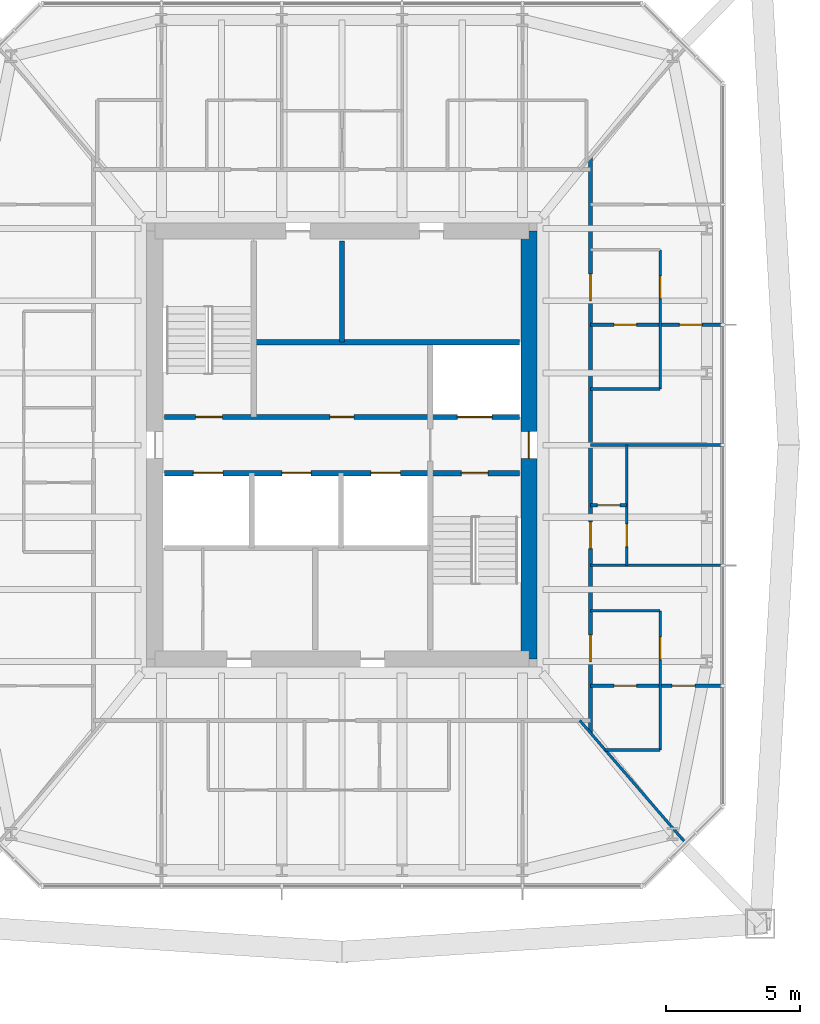
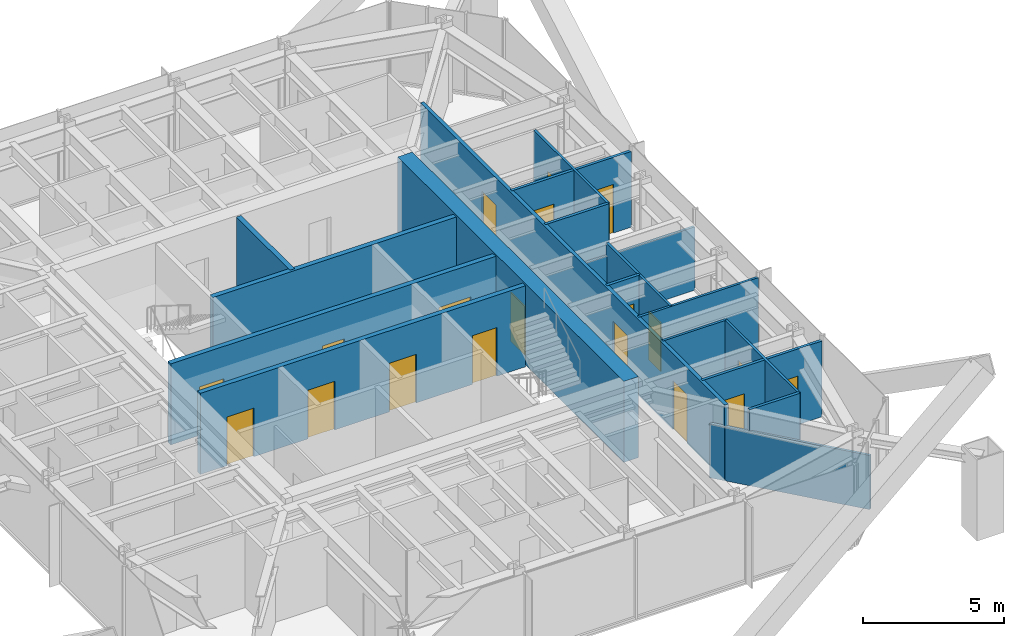
# One storey, part 20 of 27: 19 doors, 18 walls, 19 openings.
"""IFC4 building model written with IfcOpenShell, lengths in metres."""

from ifc_helpers import new_model, si_unit, direction, frame, frame_2d, origin, place, context, subcontext, project, spatial, rectangle, extrude, material, layer, layer_set, type_object, element, fill, save


model = new_model("IFC4")

# Units and contexts
model_context = context("Model", 3, precision=1e-05, world=origin(), true_north=direction((0.0, 1.0)))
body_context = subcontext(model_context, "Body", "Model", "MODEL_VIEW")
ifc_project = project(units=[si_unit("LENGTHUNIT", "METRE"), si_unit("AREAUNIT", "SQUARE_METRE"), si_unit("VOLUMEUNIT", "CUBIC_METRE"), si_unit("PLANEANGLEUNIT", "RADIAN"), si_unit("MASSUNIT", "GRAM", prefix="KILO")], contexts=[model_context])

# Site, building, storey
site_placement = place(None, origin())
site = spatial("IfcSite", under=ifc_project, at=site_placement, CompositionType="ELEMENT")
building_placement = place(site_placement, origin())
building = spatial("IfcBuilding", under=site, at=building_placement, Name="Iwan Alto Co-Living Towers", CompositionType="ELEMENT")
storey_placement = place(building_placement, frame((0.0, 0.0, 94.5)))
storey = spatial("IfcBuildingStorey", under=building, at=storey_placement, Name="L25", CompositionType="ELEMENT", Elevation=94.5)

# Wall, openings, doors
ifc_material_1 = material(Name="Gypsum board")
ifc_layer_1 = layer(ifc_material_1, 0.02490234375, Name="Board", Category="Finish")
ifc_material_2 = material(Name="Steel ASTM A1003 ST33H cold-formed studs", Category="steel")
ifc_layer_2 = layer(ifc_material_2, 0.10009765625, Name="Studs", Category="Framing")
ifc_layer_3 = layer(ifc_material_1, 0.02490234375, Name="Board", Category="Finish")
ifc_layer_set_1 = layer_set([ifc_layer_1, ifc_layer_2, ifc_layer_3], Name="CORRIDOR WALL 150")
wall_type_1 = type_object("IfcWallType", Name="CORRIDOR WALL 150", PredefinedType="PARTITIONING", material=ifc_layer_set_1)
wall_1_placement = place(storey_placement, frame((72.300048828125, -10.76806640625, 0.0), z_axis=(0.0, 0.0, 1.0), x_axis=(0.0, 1.0, 0.0)))
wall_1 = element("IfcWall", 1, at=wall_1_placement, inside=storey, type_object=wall_type_1, Name="Partition L25", PredefinedType="PARTITIONING", context=body_context, shape_type="SweptSolid", body=[
    extrude(rectangle(XDim=21.5361328125, YDim=0.14990234375, at=frame_2d((10.76806640625, 0.0))), origin(), (0.0, 0.0, 1.0), 3.27001953125),
])
opening_1_placement = place(wall_1_placement, frame((2.66796875, 0.0, 0.0)))
opening_1 = element("IfcOpeningElement", 2, at=opening_1_placement, cuts=wall_1, Name="Opening D3", PredefinedType="OPENING", context=body_context, shape_type="SweptSolid", body=[
    extrude(rectangle(XDim=1.0, YDim=2.10009765625, at=frame_2d((0.5, 1.050048828125))), frame((0.0, 0.0849609375, 0.0), z_axis=(0.0, -1.0, 0.0), x_axis=(1.0, 0.0, 0.0)), (0.0, 0.0, 1.0), 0.169921875),
])
opening_2_placement = place(wall_1_placement, frame((6.89306640625, 0.0, 0.0)))
opening_2 = element("IfcOpeningElement", 3, at=opening_2_placement, cuts=wall_1, Name="Opening D3", PredefinedType="OPENING", context=body_context, shape_type="SweptSolid", body=[
    extrude(rectangle(XDim=1.0, YDim=2.10009765625, at=frame_2d((0.5, 1.050048828125))), frame((0.0, 0.0849609375, 0.0), z_axis=(0.0, -1.0, 0.0), x_axis=(1.0, 0.0, 0.0)), (0.0, 0.0, 1.0), 0.169921875),
])
opening_3_placement = place(wall_1_placement, frame((16.16796875, 0.0, 0.0)))
opening_3 = element("IfcOpeningElement", 4, at=opening_3_placement, cuts=wall_1, Name="Opening D3", PredefinedType="OPENING", context=body_context, shape_type="SweptSolid", body=[
    extrude(rectangle(XDim=1.0, YDim=2.10009765625, at=frame_2d((0.5, 1.050048828125))), frame((0.0, 0.0849609375, 0.0), z_axis=(0.0, -1.0, 0.0), x_axis=(1.0, 0.0, 0.0)), (0.0, 0.0, 1.0), 0.169921875),
])
ifc_material_3 = material(Name="Steel frame with timber leaf", Category="steel")
door_type_1 = type_object("IfcDoorType", Name="FLAT ENTRANCE DOOR FD30S 1000X2100", OperationType="SINGLE_SWING_LEFT", PredefinedType="DOOR", material=ifc_material_3)
door_1_placement = place(opening_1_placement, frame((1.0, 0.0, 0.0), z_axis=(0.0, 0.0, 1.0), x_axis=(-1.0, 0.0, 0.0)))
door_1 = element("IfcDoor", 5, at=door_1_placement, inside=storey, type_object=door_type_1, Name="Apartment foyer door L25", OperationType="SINGLE_SWING_RIGHT", OverallHeight=2.10009765625, OverallWidth=1.0, PredefinedType="DOOR", context=body_context, shape_type="SweptSolid", body=[
    extrude(rectangle(XDim=1.0, YDim=2.10009765625, at=frame_2d((0.5, 1.050048828125))), frame((0.0, 0.02490234375, 0.0), z_axis=(0.0, -1.0, 0.0), x_axis=(1.0, 0.0, 0.0)), (0.0, 0.0, 1.0), 0.050048828125),
])
fill(opening_1, door_1)
door_2_placement = place(opening_2_placement, frame((1.0, 0.0, 0.0), z_axis=(0.0, 0.0, 1.0), x_axis=(-1.0, 0.0, 0.0)))
door_2 = element("IfcDoor", 6, at=door_2_placement, inside=storey, type_object=door_type_1, Name="Studio foyer door L25", OperationType="SINGLE_SWING_RIGHT", OverallHeight=2.10009765625, OverallWidth=1.0, PredefinedType="DOOR", context=body_context, shape_type="SweptSolid", body=[
    extrude(rectangle(XDim=1.0, YDim=2.10009765625, at=frame_2d((0.5, 1.050048828125))), frame((0.0, 0.02490234375, 0.0), z_axis=(0.0, -1.0, 0.0), x_axis=(1.0, 0.0, 0.0)), (0.0, 0.0, 1.0), 0.050048828125),
])
fill(opening_2, door_2)
door_3_placement = place(opening_3_placement, frame((1.0, 0.0, 0.0), z_axis=(0.0, 0.0, 1.0), x_axis=(-1.0, 0.0, 0.0)))
door_3 = element("IfcDoor", 7, at=door_3_placement, inside=storey, type_object=door_type_1, Name="Apartment foyer door L25", OperationType="SINGLE_SWING_RIGHT", OverallHeight=2.10009765625, OverallWidth=1.0, PredefinedType="DOOR", context=body_context, shape_type="SweptSolid", body=[
    extrude(rectangle(XDim=1.0, YDim=2.10009765625, at=frame_2d((0.5, 1.050048828125))), frame((0.0, 0.02490234375, 0.0), z_axis=(0.0, -1.0, 0.0), x_axis=(1.0, 0.0, 0.0)), (0.0, 0.0, 1.0), 0.050048828125),
])
fill(opening_3, door_3)

# Walls
ifc_layer_4 = layer(ifc_material_1, 0.012451171875, Name="Board", Category="Finish")
ifc_layer_5 = layer(ifc_material_2, 0.074951171875, Name="Studs", Category="Framing")
ifc_layer_6 = layer(ifc_material_1, 0.012451171875, Name="Board", Category="Finish")
ifc_layer_set_2 = layer_set([ifc_layer_4, ifc_layer_5, ifc_layer_6], Name="PARTITION 100")
wall_type_2 = type_object("IfcWallType", Name="PARTITION 100", PredefinedType="PARTITIONING", material=ifc_layer_set_2)
wall_2_placement = place(storey_placement, frame((72.300048828125, -6.199951171875, 0.0), z_axis=(0.0, 0.0, 1.0), x_axis=(1.0, 0.0, 0.0)))
element("IfcWall", 8, at=wall_2_placement, inside=storey, type_object=wall_type_2, Name="Partition L25", PredefinedType="PARTITIONING", context=body_context, shape_type="SweptSolid", body=[
    extrude(rectangle(XDim=2.599853515625, YDim=0.10009765625, at=frame_2d((1.2998046875, 0.0))), origin(), (0.0, 0.0, 1.0), 3.27001953125),
])
wall_3_placement = place(storey_placement, frame((72.300048828125, -4.5, 0.0), z_axis=(0.0, 0.0, 1.0), x_axis=(1.0, 0.0, 0.0)))
element("IfcWall", 9, at=wall_3_placement, inside=storey, type_object=wall_type_2, Name="Partition L25", PredefinedType="PARTITIONING", context=body_context, shape_type="SweptSolid", body=[
    extrude(rectangle(XDim=4.889892578125, YDim=0.10009765625, at=frame_2d((2.44482421875, 0.0))), origin(), (0.0, 0.0, 1.0), 3.27001953125),
])
wall_4_placement = place(storey_placement, frame((72.300048828125, 0.0, 0.0), z_axis=(0.0, 0.0, 1.0), x_axis=(1.0, 0.0, 0.0)))
element("IfcWall", 10, at=wall_4_placement, inside=storey, type_object=wall_type_2, Name="Partition L25", PredefinedType="PARTITIONING", context=body_context, shape_type="SweptSolid", body=[
    extrude(rectangle(XDim=4.889892578125, YDim=0.10009765625, at=frame_2d((2.44482421875, 0.0))), origin(), (0.0, 0.0, 1.0), 2.736572265625),
])

# Wall, opening, door
wall_5_placement = place(storey_placement, frame((74.89990234375, -11.39990234375, 0.0), z_axis=(0.0, 0.0, 1.0), x_axis=(0.0, 1.0, 0.0)))
wall_5 = element("IfcWall", 11, at=wall_5_placement, inside=storey, type_object=wall_type_2, Name="Partition L25", PredefinedType="PARTITIONING", context=body_context, shape_type="SweptSolid", body=[
    extrude(rectangle(XDim=5.199951171875, YDim=0.10009765625, at=frame_2d((2.60009765625, 0.0))), origin(), (0.0, 0.0, 1.0), 3.27001953125),
])
opening_4_placement = place(wall_5_placement, frame((3.375, 0.0, 0.0)))
opening_4 = element("IfcOpeningElement", 12, at=opening_4_placement, cuts=wall_5, Name="Opening D2", PredefinedType="OPENING", context=body_context, shape_type="SweptSolid", body=[
    extrude(rectangle(XDim=0.85009765625, YDim=2.10009765625, at=frame_2d((0.425048828125, 1.050048828125))), frame((0.0, 0.06005859375, 0.0), z_axis=(0.0, -1.0, 0.0), x_axis=(1.0, 0.0, 0.0)), (0.0, 0.0, 1.0), 0.1201171875),
])
ifc_material_4 = material(Name="Timber leaf in steel frame", Category="steel")
door_type_2 = type_object("IfcDoorType", Name="ROOM DOOR 850X2100", OperationType="SINGLE_SWING_LEFT", PredefinedType="DOOR", material=ifc_material_4)
door_4_placement = place(opening_4_placement, frame((0.85009765625, 0.0, 0.0), z_axis=(0.0, 0.0, 1.0), x_axis=(-1.0, 0.0, 0.0)))
door_4 = element("IfcDoor", 13, at=door_4_placement, inside=storey, type_object=door_type_2, Name="Apartment foyer door L25", OperationType="SINGLE_SWING_RIGHT", OverallHeight=2.10009765625, OverallWidth=0.85009765625, PredefinedType="DOOR", context=body_context, shape_type="SweptSolid", body=[
    extrude(rectangle(XDim=0.85009765625, YDim=2.10009765625, at=frame_2d((0.425048828125, 1.050048828125))), frame((0.0, 0.02490234375, 0.0), z_axis=(0.0, -1.0, 0.0), x_axis=(1.0, 0.0, 0.0)), (0.0, 0.0, 1.0), 0.050048828125),
])
fill(opening_4, door_4)

wall_6_placement = place(storey_placement, frame((74.89990234375, 2.10009765625, 0.0), z_axis=(0.0, 0.0, 1.0), x_axis=(0.0, 1.0, 0.0)))
wall_6 = element("IfcWall", 14, at=wall_6_placement, inside=storey, type_object=wall_type_2, Name="Partition L25", PredefinedType="PARTITIONING", context=body_context, shape_type="SweptSolid", body=[
    extrude(rectangle(XDim=5.199951171875, YDim=0.10009765625, at=frame_2d((2.60009765625, 0.0))), origin(), (0.0, 0.0, 1.0), 3.27001953125),
])
opening_5_placement = place(wall_6_placement, frame((3.375, 0.0, 0.0)))
opening_5 = element("IfcOpeningElement", 15, at=opening_5_placement, cuts=wall_6, Name="Opening D2", PredefinedType="OPENING", context=body_context, shape_type="SweptSolid", body=[
    extrude(rectangle(XDim=0.85009765625, YDim=2.10009765625, at=frame_2d((0.425048828125, 1.050048828125))), frame((0.0, 0.06005859375, 0.0), z_axis=(0.0, -1.0, 0.0), x_axis=(1.0, 0.0, 0.0)), (0.0, 0.0, 1.0), 0.1201171875),
])
door_5_placement = place(opening_5_placement, frame((0.85009765625, 0.0, 0.0), z_axis=(0.0, 0.0, 1.0), x_axis=(-1.0, 0.0, 0.0)))
door_5 = element("IfcDoor", 16, at=door_5_placement, inside=storey, type_object=door_type_2, Name="Apartment foyer door L25", OperationType="SINGLE_SWING_RIGHT", OverallHeight=2.10009765625, OverallWidth=0.85009765625, PredefinedType="DOOR", context=body_context, shape_type="SweptSolid", body=[
    extrude(rectangle(XDim=0.85009765625, YDim=2.10009765625, at=frame_2d((0.425048828125, 1.050048828125))), frame((0.0, 0.02490234375, 0.0), z_axis=(0.0, -1.0, 0.0), x_axis=(1.0, 0.0, 0.0)), (0.0, 0.0, 1.0), 0.050048828125),
])
fill(opening_5, door_5)

wall_7_placement = place(storey_placement, frame((73.64990234375, -4.5, 0.0), z_axis=(0.0, 0.0, 1.0), x_axis=(0.0, 1.0, 0.0)))
wall_7 = element("IfcWall", 17, at=wall_7_placement, inside=storey, type_object=wall_type_2, Name="Partition L25", PredefinedType="PARTITIONING", context=body_context, shape_type="SweptSolid", body=[
    extrude(rectangle(XDim=4.5, YDim=0.10009765625, at=frame_2d((2.25, 0.0))), origin(), (0.0, 0.0, 1.0), 3.27001953125),
])
opening_6_placement = place(wall_7_placement, frame((0.699951171875, 0.0, 0.0)))
opening_6 = element("IfcOpeningElement", 18, at=opening_6_placement, cuts=wall_7, Name="Opening D2", PredefinedType="OPENING", context=body_context, shape_type="SweptSolid", body=[
    extrude(rectangle(XDim=0.85009765625, YDim=2.10009765625, at=frame_2d((0.425048828125, 1.050048828125))), frame((0.0, 0.06005859375, 0.0), z_axis=(0.0, -1.0, 0.0), x_axis=(1.0, 0.0, 0.0)), (0.0, 0.0, 1.0), 0.1201171875),
])
door_6_placement = place(opening_6_placement, frame((0.85009765625, 0.0, 0.0), z_axis=(0.0, 0.0, 1.0), x_axis=(-1.0, 0.0, 0.0)))
door_6 = element("IfcDoor", 19, at=door_6_placement, inside=storey, type_object=door_type_2, Name="Studio and kitchenette door L25", OperationType="SINGLE_SWING_RIGHT", OverallHeight=2.10009765625, OverallWidth=0.85009765625, PredefinedType="DOOR", context=body_context, shape_type="SweptSolid", body=[
    extrude(rectangle(XDim=0.85009765625, YDim=2.10009765625, at=frame_2d((0.425048828125, 1.050048828125))), frame((0.0, 0.02490234375, 0.0), z_axis=(0.0, -1.0, 0.0), x_axis=(1.0, 0.0, 0.0)), (0.0, 0.0, 1.0), 0.050048828125),
])
fill(opening_6, door_6)

# Wall
wall_8_placement = place(storey_placement, frame((75.821044921875, -14.843994140625, 0.0), z_axis=(0.0, 0.0, 1.0), x_axis=(-0.65378286253, 0.756682211144, 0.0)))
element("IfcWall", 20, at=wall_8_placement, inside=storey, type_object=wall_type_2, Name="Partition L25", PredefinedType="PARTITIONING", context=body_context, shape_type="SweptSolid", body=[
    extrude(rectangle(XDim=6.005126953125, YDim=0.10009765625, at=frame_2d((3.00244140625, 0.0))), origin(), (0.0, 0.0, 1.0), 2.343017578125),
])

# Wall, openings, doors
ifc_material_5 = material(Name="Concrete f'c 70 MPa", Category="concrete")
ifc_layer_7 = layer(ifc_material_5, 0.199951171875)
ifc_layer_set_3 = layer_set([ifc_layer_7], Name="SHAFT WALL 200")
wall_type_3 = type_object("IfcWallType", Name="SHAFT WALL 200", PredefinedType="SOLIDWALL", material=ifc_layer_set_3)
wall_9_placement = place(storey_placement, frame((56.360107421875, -1.050048828125, 0.0), z_axis=(0.0, 0.0, 1.0), x_axis=(1.0, 0.0, 0.0)))
wall_9 = element("IfcWall", 21, at=wall_9_placement, inside=storey, type_object=wall_type_3, Name="Shaft wall L25", PredefinedType="SOLIDWALL", context=body_context, shape_type="SweptSolid", body=[
    extrude(rectangle(XDim=13.27978515625, YDim=0.199951171875, at=frame_2d((6.639892578125, 0.0))), origin(), (0.0, 0.0, 1.0), 3.5),
])
opening_7_placement = place(wall_9_placement, frame((11.110107421875, 0.0, 0.0)))
opening_7 = element("IfcOpeningElement", 22, at=opening_7_placement, cuts=wall_9, Name="Opening D5", PredefinedType="OPENING", context=body_context, shape_type="SweptSolid", body=[
    extrude(rectangle(XDim=1.0, YDim=2.10009765625, at=frame_2d((0.5, 1.050048828125))), frame((0.0, 0.10986328125, 0.0), z_axis=(0.0, -1.0, 0.0), x_axis=(1.0, 0.0, 0.0)), (0.0, 0.0, 1.0), 0.219970703125),
])
opening_8_placement = place(wall_9_placement, frame((1.0869140625, 0.0, 0.0)))
opening_8 = element("IfcOpeningElement", 23, at=opening_8_placement, cuts=wall_9, Name="Opening LD", PredefinedType="OPENING", context=body_context, shape_type="SweptSolid", body=[
    extrude(rectangle(XDim=1.10009765625, YDim=2.10009765625, at=frame_2d((0.550048828125, 1.050048828125))), frame((0.0, 0.10986328125, 0.0), z_axis=(0.0, -1.0, 0.0), x_axis=(1.0, 0.0, 0.0)), (0.0, 0.0, 1.0), 0.219970703125),
])
opening_9_placement = place(wall_9_placement, frame((4.389892578125, 0.0, 0.0)))
opening_9 = element("IfcOpeningElement", 24, at=opening_9_placement, cuts=wall_9, Name="Opening LD", PredefinedType="OPENING", context=body_context, shape_type="SweptSolid", body=[
    extrude(rectangle(XDim=1.10009765625, YDim=2.10009765625, at=frame_2d((0.550048828125, 1.050048828125))), frame((0.0, 0.10986328125, 0.0), z_axis=(0.0, -1.0, 0.0), x_axis=(1.0, 0.0, 0.0)), (0.0, 0.0, 1.0), 0.219970703125),
])
opening_10_placement = place(wall_9_placement, frame((7.72412109375, 0.0, 0.0)))
opening_10 = element("IfcOpeningElement", 25, at=opening_10_placement, cuts=wall_9, Name="Opening LD", PredefinedType="OPENING", context=body_context, shape_type="SweptSolid", body=[
    extrude(rectangle(XDim=1.10009765625, YDim=2.10009765625, at=frame_2d((0.550048828125, 1.050048828125))), frame((0.0, 0.10986328125, 0.0), z_axis=(0.0, -1.0, 0.0), x_axis=(1.0, 0.0, 0.0)), (0.0, 0.0, 1.0), 0.219970703125),
])
ifc_material_6 = material(Name="Steel frame with timber leaf", Category="steel")
door_type_3 = type_object("IfcDoorType", Name="LIFT LANDING DOOR 1100X2100", OperationType="DOUBLE_DOOR_SLIDING", PredefinedType="DOOR", material=ifc_material_6)
door_7_placement = place(opening_8_placement, origin())
door_7 = element("IfcDoor", 26, at=door_7_placement, inside=storey, type_object=door_type_3, Name="Lift P5-1 landing door L25", OperationType="DOUBLE_DOOR_SLIDING", OverallHeight=2.10009765625, OverallWidth=1.10009765625, PredefinedType="DOOR", context=body_context, shape_type="SweptSolid", body=[
    extrude(rectangle(XDim=1.10009765625, YDim=2.10009765625, at=frame_2d((0.550048828125, 1.050048828125))), frame((0.0, 0.02490234375, 0.0), z_axis=(0.0, -1.0, 0.0), x_axis=(1.0, 0.0, 0.0)), (0.0, 0.0, 1.0), 0.050048828125),
])
fill(opening_8, door_7)
door_8_placement = place(opening_9_placement, origin())
door_8 = element("IfcDoor", 27, at=door_8_placement, inside=storey, type_object=door_type_3, Name="Lift P5-2 landing door L25", OperationType="DOUBLE_DOOR_SLIDING", OverallHeight=2.10009765625, OverallWidth=1.10009765625, PredefinedType="DOOR", context=body_context, shape_type="SweptSolid", body=[
    extrude(rectangle(XDim=1.10009765625, YDim=2.10009765625, at=frame_2d((0.550048828125, 1.050048828125))), frame((0.0, 0.02490234375, 0.0), z_axis=(0.0, -1.0, 0.0), x_axis=(1.0, 0.0, 0.0)), (0.0, 0.0, 1.0), 0.050048828125),
])
fill(opening_9, door_8)
door_9_placement = place(opening_10_placement, origin())
door_9 = element("IfcDoor", 28, at=door_9_placement, inside=storey, type_object=door_type_3, Name="Lift P6-3 landing door L25", OperationType="DOUBLE_DOOR_SLIDING", OverallHeight=2.10009765625, OverallWidth=1.10009765625, PredefinedType="DOOR", context=body_context, shape_type="SweptSolid", body=[
    extrude(rectangle(XDim=1.10009765625, YDim=2.10009765625, at=frame_2d((0.550048828125, 1.050048828125))), frame((0.0, 0.02490234375, 0.0), z_axis=(0.0, -1.0, 0.0), x_axis=(1.0, 0.0, 0.0)), (0.0, 0.0, 1.0), 0.050048828125),
])
fill(opening_10, door_9)
ifc_material_7 = material(Name="Steel frame with timber leaf", Category="steel")
door_type_4 = type_object("IfcDoorType", Name="STAIR DOOR FD120S 1000X2100", OperationType="SINGLE_SWING_LEFT", PredefinedType="DOOR", material=ifc_material_7)
door_10_placement = place(opening_7_placement, frame((1.0, 0.0, 0.0), z_axis=(0.0, 0.0, 1.0), x_axis=(-1.0, 0.0, 0.0)))
door_10 = element("IfcDoor", 29, at=door_10_placement, inside=storey, type_object=door_type_4, Name="Stair S2 door L25", OperationType="SINGLE_SWING_RIGHT", OverallHeight=2.10009765625, OverallWidth=1.0, PredefinedType="DOOR", context=body_context, shape_type="SweptSolid", body=[
    extrude(rectangle(XDim=1.0, YDim=2.10009765625, at=frame_2d((0.5, 1.050048828125))), frame((0.0, 0.02490234375, 0.0), z_axis=(0.0, -1.0, 0.0), x_axis=(1.0, 0.0, 0.0)), (0.0, 0.0, 1.0), 0.050048828125),
])
fill(opening_7, door_10)

wall_10_placement = place(storey_placement, frame((56.360107421875, 1.050048828125, 0.0), z_axis=(0.0, 0.0, 1.0), x_axis=(1.0, 0.0, 0.0)))
wall_10 = element("IfcWall", 30, at=wall_10_placement, inside=storey, type_object=wall_type_3, Name="Shaft wall L25", PredefinedType="SOLIDWALL", context=body_context, shape_type="SweptSolid", body=[
    extrude(rectangle(XDim=13.27978515625, YDim=0.199951171875, at=frame_2d((6.639892578125, 0.0))), origin(), (0.0, 0.0, 1.0), 3.5),
])
opening_11_placement = place(wall_10_placement, frame((1.169921875, 0.0, 0.0)))
opening_11 = element("IfcOpeningElement", 31, at=opening_11_placement, cuts=wall_10, Name="Opening D5", PredefinedType="OPENING", context=body_context, shape_type="SweptSolid", body=[
    extrude(rectangle(XDim=1.0, YDim=2.10009765625, at=frame_2d((0.5, 1.050048828125))), frame((0.0, 0.10986328125, 0.0), z_axis=(0.0, -1.0, 0.0), x_axis=(1.0, 0.0, 0.0)), (0.0, 0.0, 1.0), 0.219970703125),
])
opening_12_placement = place(wall_10_placement, frame((6.18994140625, 0.0, 0.0)))
opening_12 = element("IfcOpeningElement", 32, at=opening_12_placement, cuts=wall_10, Name="Opening D8", PredefinedType="OPENING", context=body_context, shape_type="SweptSolid", body=[
    extrude(rectangle(XDim=0.89990234375, YDim=2.10009765625, at=frame_2d((0.449951171875, 1.050048828125))), frame((0.0, 0.10986328125, 0.0), z_axis=(0.0, -1.0, 0.0), x_axis=(1.0, 0.0, 0.0)), (0.0, 0.0, 1.0), 0.219970703125),
])
opening_13_placement = place(wall_10_placement, frame((10.9599609375, 0.0, 0.0)))
opening_13 = element("IfcOpeningElement", 33, at=opening_13_placement, cuts=wall_10, Name="Opening LD2", PredefinedType="OPENING", context=body_context, shape_type="SweptSolid", body=[
    extrude(rectangle(XDim=1.300048828125, YDim=2.10009765625, at=frame_2d((0.64990234375, 1.050048828125))), frame((0.0, 0.10986328125, 0.0), z_axis=(0.0, -1.0, 0.0), x_axis=(1.0, 0.0, 0.0)), (0.0, 0.0, 1.0), 0.219970703125),
])
ifc_material_8 = material(Name="Steel frame with timber leaf", Category="steel")
door_type_5 = type_object("IfcDoorType", Name="LIFT LANDING DOOR 1300X2100", OperationType="SLIDING_TO_LEFT", PredefinedType="DOOR", material=ifc_material_8)
door_11_placement = place(opening_13_placement, origin())
door_11 = element("IfcDoor", 34, at=door_11_placement, inside=storey, type_object=door_type_5, Name="Lift FL2 landing door L25", OperationType="SLIDING_TO_LEFT", OverallHeight=2.10009765625, OverallWidth=1.300048828125, PredefinedType="DOOR", context=body_context, shape_type="SweptSolid", body=[
    extrude(rectangle(XDim=1.300048828125, YDim=2.10009765625, at=frame_2d((0.64990234375, 1.050048828125))), frame((0.0, 0.02490234375, 0.0), z_axis=(0.0, -1.0, 0.0), x_axis=(1.0, 0.0, 0.0)), (0.0, 0.0, 1.0), 0.050048828125),
])
fill(opening_13, door_11)
ifc_material_9 = material(Name="Steel frame with timber leaf", Category="steel")
door_type_6 = type_object("IfcDoorType", Name="RISER DOOR FD120 900X2100", OperationType="SINGLE_SWING_LEFT", PredefinedType="DOOR", material=ifc_material_9)
door_12_placement = place(opening_12_placement, origin())
door_12 = element("IfcDoor", 35, at=door_12_placement, inside=storey, type_object=door_type_6, Name="Riser room door L25", OperationType="SINGLE_SWING_LEFT", OverallHeight=2.10009765625, OverallWidth=0.89990234375, PredefinedType="DOOR", context=body_context, shape_type="SweptSolid", body=[
    extrude(rectangle(XDim=0.89990234375, YDim=2.10009765625, at=frame_2d((0.449951171875, 1.050048828125))), frame((0.0, 0.02490234375, 0.0), z_axis=(0.0, -1.0, 0.0), x_axis=(1.0, 0.0, 0.0)), (0.0, 0.0, 1.0), 0.050048828125),
])
fill(opening_12, door_12)
door_13_placement = place(opening_11_placement, origin())
door_13 = element("IfcDoor", 36, at=door_13_placement, inside=storey, type_object=door_type_4, Name="Stair S1 door L25", OperationType="SINGLE_SWING_RIGHT", OverallHeight=2.10009765625, OverallWidth=1.0, PredefinedType="DOOR", context=body_context, shape_type="SweptSolid", body=[
    extrude(rectangle(XDim=1.0, YDim=2.10009765625, at=frame_2d((0.5, 1.050048828125))), frame((0.0, 0.02490234375, 0.0), z_axis=(0.0, -1.0, 0.0), x_axis=(1.0, 0.0, 0.0)), (0.0, 0.0, 1.0), 0.050048828125),
])
fill(opening_11, door_13)

# Walls
wall_11_placement = place(storey_placement, frame((59.699951171875, 3.85009765625, 0.0), z_axis=(0.0, 0.0, 1.0), x_axis=(1.0, 0.0, 0.0)))
element("IfcWall", 37, at=wall_11_placement, inside=storey, type_object=wall_type_3, Name="Shaft wall L25", PredefinedType="SOLIDWALL", context=body_context, shape_type="SweptSolid", body=[
    extrude(rectangle(XDim=9.93994140625, YDim=0.199951171875, at=frame_2d((4.969970703125, 0.0))), origin(), (0.0, 0.0, 1.0), 3.5),
])
wall_12_placement = place(storey_placement, frame((63.0, 3.85009765625, 0.0), z_axis=(0.0, 0.0, 1.0), x_axis=(0.0, 1.0, 0.0)))
element("IfcWall", 38, at=wall_12_placement, inside=storey, type_object=wall_type_3, Name="Shaft wall L25", PredefinedType="SOLIDWALL", context=body_context, shape_type="SweptSolid", body=[
    extrude(rectangle(XDim=3.789794921875, YDim=0.199951171875, at=frame_2d((1.89501953125, 0.0))), origin(), (0.0, 0.0, 1.0), 3.5),
])

# Wall, opening, door
ifc_material_10 = material(Name="Concrete f'c 70 MPa", Category="concrete")
ifc_layer_8 = layer(ifc_material_10, 0.60009765625)
ifc_layer_set_4 = layer_set([ifc_layer_8], Name="T2 CORE WALL 600")
wall_type_4 = type_object("IfcWallType", Name="T2 CORE WALL 600", PredefinedType="SHEAR", material=ifc_layer_set_4)
wall_13_placement = place(storey_placement, frame((70.0, -8.0, 0.0), z_axis=(0.0, 0.0, 1.0), x_axis=(0.0, 1.0, 0.0)))
wall_13 = element("IfcWall", 39, at=wall_13_placement, inside=storey, type_object=wall_type_4, Name="T2 core wall E L25", PredefinedType="SHEAR", context=body_context, shape_type="SweptSolid", body=[
    extrude(rectangle(XDim=16.0, YDim=0.60009765625, at=frame_2d((8.0, 0.0))), origin(), (0.0, 0.0, 1.0), 3.5),
])
opening_14_placement = place(wall_13_placement, frame((7.5, 0.0, 0.0)))
opening_14 = element("IfcOpeningElement", 40, at=opening_14_placement, cuts=wall_13, Name="Opening D7", PredefinedType="OPENING", context=body_context, shape_type="SweptSolid", body=[
    extrude(rectangle(XDim=1.0, YDim=2.10009765625, at=frame_2d((0.5, 1.050048828125))), frame((0.0, 0.31005859375, 0.0), z_axis=(0.0, -1.0, 0.0), x_axis=(1.0, 0.0, 0.0)), (0.0, 0.0, 1.0), 0.6201171875),
])
ifc_material_11 = material(Name="Steel frame with timber leaf", Category="steel")
door_type_7 = type_object("IfcDoorType", Name="CORE DOOR FD120S 1000X2100", OperationType="SINGLE_SWING_LEFT", PredefinedType="DOOR", material=ifc_material_11)
door_14_placement = place(opening_14_placement, origin())
door_14 = element("IfcDoor", 41, at=door_14_placement, inside=storey, type_object=door_type_7, Name="Firefighting lobby core door L25", OperationType="SINGLE_SWING_LEFT", OverallHeight=2.10009765625, OverallWidth=1.0, PredefinedType="DOOR", context=body_context, shape_type="SweptSolid", body=[
    extrude(rectangle(XDim=1.0, YDim=2.10009765625, at=frame_2d((0.5, 1.050048828125))), frame((0.0, 0.02490234375, 0.0), z_axis=(0.0, -1.0, 0.0), x_axis=(1.0, 0.0, 0.0)), (0.0, 0.0, 1.0), 0.050048828125),
])
fill(opening_14, door_14)

# Wall
ifc_material_12 = material(Name="Cement board")
ifc_layer_9 = layer(ifc_material_12, 0.012451171875, Name="Board", Category="Finish")
ifc_layer_10 = layer(ifc_material_2, 0.094970703125, Name="Studs", Category="Framing")
ifc_layer_11 = layer(ifc_material_12, 0.012451171875, Name="Board", Category="Finish")
ifc_layer_set_5 = layer_set([ifc_layer_9, ifc_layer_10, ifc_layer_11], Name="WET AREA PARTITION 120")
wall_type_5 = type_object("IfcWallType", Name="WET AREA PARTITION 120", PredefinedType="PARTITIONING", material=ifc_layer_set_5)
wall_14_placement = place(storey_placement, frame((72.844970703125, -11.39990234375, 0.0), z_axis=(0.0, 0.0, 1.0), x_axis=(1.0, 0.0, 0.0)))
element("IfcWall", 42, at=wall_14_placement, inside=storey, type_object=wall_type_5, Name="Partition L25", PredefinedType="PARTITIONING", context=body_context, shape_type="SweptSolid", body=[
    extrude(rectangle(XDim=2.054931640625, YDim=0.1201171875, at=frame_2d((1.02734375, 0.0))), origin(), (0.0, 0.0, 1.0), 3.27001953125),
])

# Wall, openings, doors
wall_15_placement = place(storey_placement, frame((72.300048828125, -9.0, 0.0), z_axis=(0.0, 0.0, 1.0), x_axis=(1.0, 0.0, 0.0)))
wall_15 = element("IfcWall", 43, at=wall_15_placement, inside=storey, type_object=wall_type_5, Name="Partition L25", PredefinedType="PARTITIONING", context=body_context, shape_type="SweptSolid", body=[
    extrude(rectangle(XDim=4.889892578125, YDim=0.1201171875, at=frame_2d((2.44482421875, 0.0))), origin(), (0.0, 0.0, 1.0), 3.27001953125),
])
opening_15_placement = place(wall_15_placement, frame((0.875, 0.0, 0.0)))
opening_15 = element("IfcOpeningElement", 44, at=opening_15_placement, cuts=wall_15, Name="Opening D2", PredefinedType="OPENING", context=body_context, shape_type="SweptSolid", body=[
    extrude(rectangle(XDim=0.85009765625, YDim=2.10009765625, at=frame_2d((0.425048828125, 1.050048828125))), frame((0.0, 0.070068359375, 0.0), z_axis=(0.0, -1.0, 0.0), x_axis=(1.0, 0.0, 0.0)), (0.0, 0.0, 1.0), 0.14013671875),
])
opening_16_placement = place(wall_15_placement, frame((3.050048828125, 0.0, 0.0)))
opening_16 = element("IfcOpeningElement", 45, at=opening_16_placement, cuts=wall_15, Name="Opening D2", PredefinedType="OPENING", context=body_context, shape_type="SweptSolid", body=[
    extrude(rectangle(XDim=0.85009765625, YDim=2.10009765625, at=frame_2d((0.425048828125, 1.050048828125))), frame((0.0, 0.070068359375, 0.0), z_axis=(0.0, -1.0, 0.0), x_axis=(1.0, 0.0, 0.0)), (0.0, 0.0, 1.0), 0.14013671875),
])
door_15_placement = place(opening_15_placement, frame((0.85009765625, 0.0, 0.0), z_axis=(0.0, 0.0, 1.0), x_axis=(-1.0, 0.0, 0.0)))
door_15 = element("IfcDoor", 46, at=door_15_placement, inside=storey, type_object=door_type_2, Name="Bathroom door L25", OperationType="SINGLE_SWING_RIGHT", OverallHeight=2.10009765625, OverallWidth=0.85009765625, PredefinedType="DOOR", context=body_context, shape_type="SweptSolid", body=[
    extrude(rectangle(XDim=0.85009765625, YDim=2.10009765625, at=frame_2d((0.425048828125, 1.050048828125))), frame((0.0, 0.02490234375, 0.0), z_axis=(0.0, -1.0, 0.0), x_axis=(1.0, 0.0, 0.0)), (0.0, 0.0, 1.0), 0.050048828125),
])
fill(opening_15, door_15)
door_16_placement = place(opening_16_placement, frame((0.85009765625, 0.0, 0.0), z_axis=(0.0, 0.0, 1.0), x_axis=(-1.0, 0.0, 0.0)))
door_16 = element("IfcDoor", 47, at=door_16_placement, inside=storey, type_object=door_type_2, Name="Bedroom door L25", OperationType="SINGLE_SWING_RIGHT", OverallHeight=2.10009765625, OverallWidth=0.85009765625, PredefinedType="DOOR", context=body_context, shape_type="SweptSolid", body=[
    extrude(rectangle(XDim=0.85009765625, YDim=2.10009765625, at=frame_2d((0.425048828125, 1.050048828125))), frame((0.0, 0.02490234375, 0.0), z_axis=(0.0, -1.0, 0.0), x_axis=(1.0, 0.0, 0.0)), (0.0, 0.0, 1.0), 0.050048828125),
])
fill(opening_16, door_16)

# Wall, opening, door
wall_16_placement = place(storey_placement, frame((72.300048828125, -2.25, 0.0), z_axis=(0.0, 0.0, 1.0), x_axis=(1.0, 0.0, 0.0)))
wall_16 = element("IfcWall", 48, at=wall_16_placement, inside=storey, type_object=wall_type_5, Name="Partition L25", PredefinedType="PARTITIONING", context=body_context, shape_type="SweptSolid", body=[
    extrude(rectangle(XDim=1.349853515625, YDim=0.1201171875, at=frame_2d((0.6748046875, 0.0))), origin(), (0.0, 0.0, 1.0), 3.27001953125),
])
opening_17_placement = place(wall_16_placement, frame((0.25, 0.0, 0.0)))
opening_17 = element("IfcOpeningElement", 49, at=opening_17_placement, cuts=wall_16, Name="Opening D2", PredefinedType="OPENING", context=body_context, shape_type="SweptSolid", body=[
    extrude(rectangle(XDim=0.85009765625, YDim=2.10009765625, at=frame_2d((0.425048828125, 1.050048828125))), frame((0.0, 0.070068359375, 0.0), z_axis=(0.0, -1.0, 0.0), x_axis=(1.0, 0.0, 0.0)), (0.0, 0.0, 1.0), 0.14013671875),
])
door_17_placement = place(opening_17_placement, origin())
door_17 = element("IfcDoor", 50, at=door_17_placement, inside=storey, type_object=door_type_2, Name="Shower room door L25", OperationType="SINGLE_SWING_LEFT", OverallHeight=2.10009765625, OverallWidth=0.85009765625, PredefinedType="DOOR", context=body_context, shape_type="SweptSolid", body=[
    extrude(rectangle(XDim=0.85009765625, YDim=2.10009765625, at=frame_2d((0.425048828125, 1.050048828125))), frame((0.0, 0.02490234375, 0.0), z_axis=(0.0, -1.0, 0.0), x_axis=(1.0, 0.0, 0.0)), (0.0, 0.0, 1.0), 0.050048828125),
])
fill(opening_17, door_17)

# Wall
wall_17_placement = place(storey_placement, frame((72.300048828125, 2.10009765625, 0.0), z_axis=(0.0, 0.0, 1.0), x_axis=(1.0, 0.0, 0.0)))
element("IfcWall", 51, at=wall_17_placement, inside=storey, type_object=wall_type_5, Name="Partition L25", PredefinedType="PARTITIONING", context=body_context, shape_type="SweptSolid", body=[
    extrude(rectangle(XDim=2.599853515625, YDim=0.1201171875, at=frame_2d((1.2998046875, 0.0))), origin(), (0.0, 0.0, 1.0), 3.27001953125),
])

# Wall, openings, doors
wall_18_placement = place(storey_placement, frame((72.300048828125, 4.5, 0.0), z_axis=(0.0, 0.0, 1.0), x_axis=(1.0, 0.0, 0.0)))
wall_18 = element("IfcWall", 52, at=wall_18_placement, inside=storey, type_object=wall_type_5, Name="Partition L25", PredefinedType="PARTITIONING", context=body_context, shape_type="SweptSolid", body=[
    extrude(rectangle(XDim=4.889892578125, YDim=0.1201171875, at=frame_2d((2.44482421875, 0.0))), origin(), (0.0, 0.0, 1.0), 3.27001953125),
])
opening_18_placement = place(wall_18_placement, frame((0.875, 0.0, 0.0)))
opening_18 = element("IfcOpeningElement", 53, at=opening_18_placement, cuts=wall_18, Name="Opening D2", PredefinedType="OPENING", context=body_context, shape_type="SweptSolid", body=[
    extrude(rectangle(XDim=0.85009765625, YDim=2.10009765625, at=frame_2d((0.425048828125, 1.050048828125))), frame((0.0, 0.070068359375, 0.0), z_axis=(0.0, -1.0, 0.0), x_axis=(1.0, 0.0, 0.0)), (0.0, 0.0, 1.0), 0.14013671875),
])
opening_19_placement = place(wall_18_placement, frame((3.320068359375, 0.0, 0.0)))
opening_19 = element("IfcOpeningElement", 54, at=opening_19_placement, cuts=wall_18, Name="Opening D2", PredefinedType="OPENING", context=body_context, shape_type="SweptSolid", body=[
    extrude(rectangle(XDim=0.85009765625, YDim=2.10009765625, at=frame_2d((0.425048828125, 1.050048828125))), frame((0.0, 0.070068359375, 0.0), z_axis=(0.0, -1.0, 0.0), x_axis=(1.0, 0.0, 0.0)), (0.0, 0.0, 1.0), 0.14013671875),
])
door_18_placement = place(opening_18_placement, frame((0.85009765625, 0.0, 0.0), z_axis=(0.0, 0.0, 1.0), x_axis=(-1.0, 0.0, 0.0)))
door_18 = element("IfcDoor", 55, at=door_18_placement, inside=storey, type_object=door_type_2, Name="Bathroom door L25", OperationType="SINGLE_SWING_RIGHT", OverallHeight=2.10009765625, OverallWidth=0.85009765625, PredefinedType="DOOR", context=body_context, shape_type="SweptSolid", body=[
    extrude(rectangle(XDim=0.85009765625, YDim=2.10009765625, at=frame_2d((0.425048828125, 1.050048828125))), frame((0.0, 0.02490234375, 0.0), z_axis=(0.0, -1.0, 0.0), x_axis=(1.0, 0.0, 0.0)), (0.0, 0.0, 1.0), 0.050048828125),
])
fill(opening_18, door_18)
door_19_placement = place(opening_19_placement, frame((0.85009765625, 0.0, 0.0), z_axis=(0.0, 0.0, 1.0), x_axis=(-1.0, 0.0, 0.0)))
door_19 = element("IfcDoor", 56, at=door_19_placement, inside=storey, type_object=door_type_2, Name="Bedroom door L25", OperationType="SINGLE_SWING_RIGHT", OverallHeight=2.10009765625, OverallWidth=0.85009765625, PredefinedType="DOOR", context=body_context, shape_type="SweptSolid", body=[
    extrude(rectangle(XDim=0.85009765625, YDim=2.10009765625, at=frame_2d((0.425048828125, 1.050048828125))), frame((0.0, 0.02490234375, 0.0), z_axis=(0.0, -1.0, 0.0), x_axis=(1.0, 0.0, 0.0)), (0.0, 0.0, 1.0), 0.050048828125),
])
fill(opening_19, door_19)

save(model, "model.ifc")
